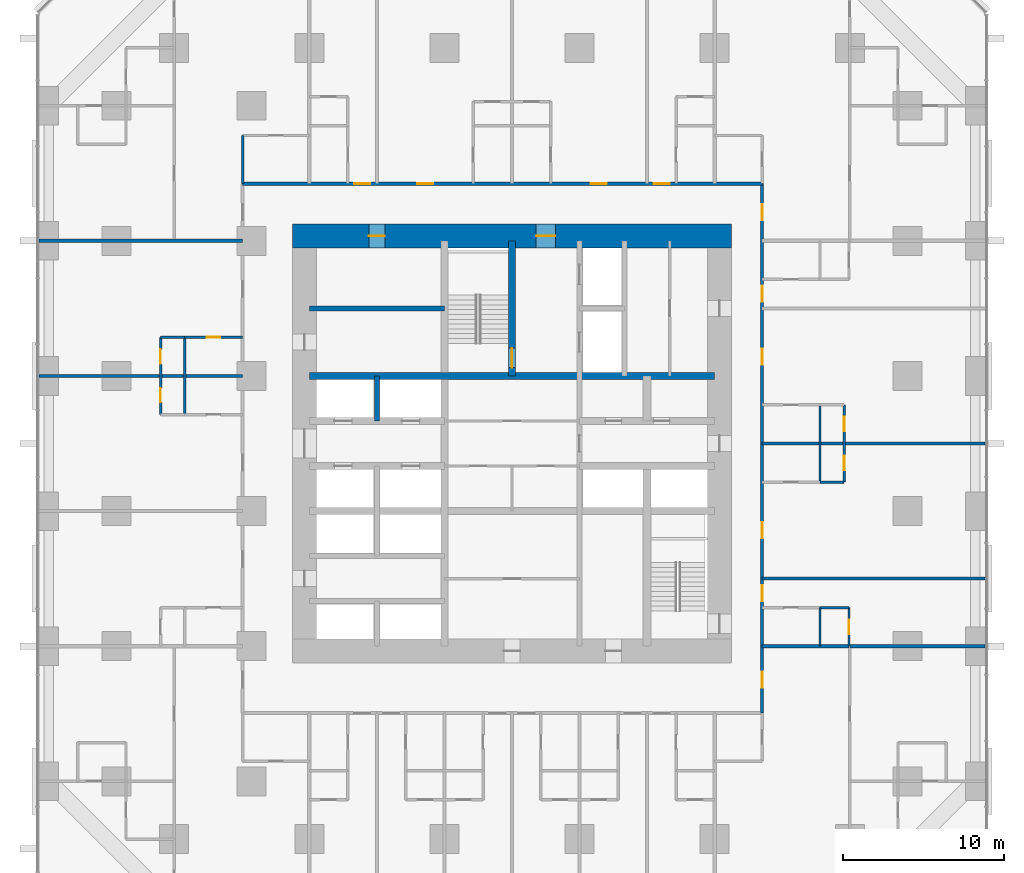
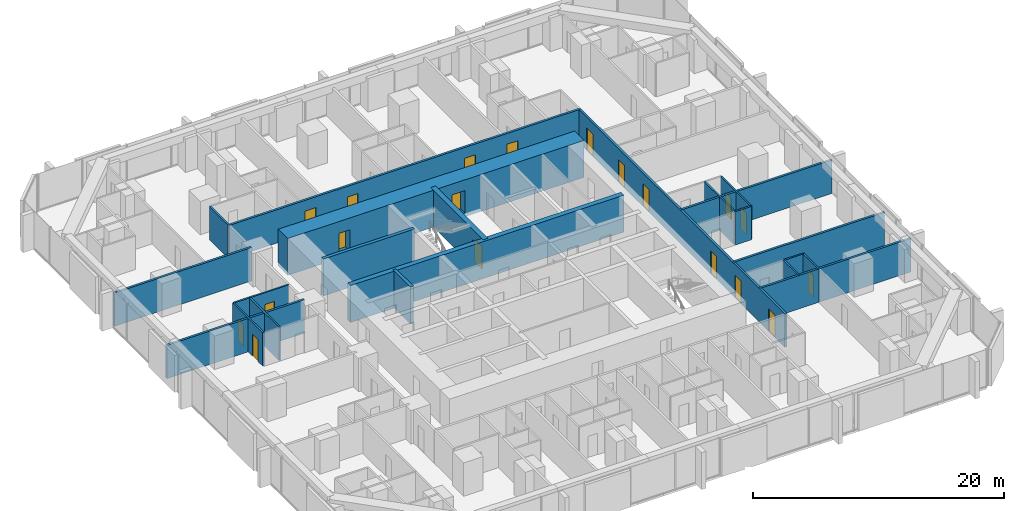
# One storey, part 14 of 17: 24 walls, 19 doors, 19 openings.
"""IFC4 building model written with IfcOpenShell, lengths in metres."""

import ifcopenshell
import ifcopenshell.guid

model = None  # the IFC model being written
_history = None  # IfcOwnerHistory: only IFC2X3 demands one
_inside = {}  # id of a spatial element -> (the spatial element, [elements in it])
_under = {}  # id of a project, library or spatial element -> (it, [spatial elements below it])
_declared = {}  # id of a project -> (the project, [libraries it declares])
_typed = {}  # id of a type object -> (the type object, [elements of that type])
_made_of = {}  # id of a material, layer set ... -> (it, [elements and type objects made of it])


def new_model(schema):
    """Start an empty IFC model of exactly this schema.

    Asked for "IFC4X3", IfcOpenShell would pick the latest addendum, in which some entities
    have other attributes; the version numbers below select the first issue.
    IFC2X3 requires an IfcOwnerHistory on every rooted entity: one is made here for all.
    """
    global model, _history
    if schema == "IFC4X3":
        model = ifcopenshell.file(schema_version=(4, 3, 0, 0))
    else:
        model = ifcopenshell.file(schema=schema)
    _inside.clear()
    _under.clear()
    _declared.clear()
    _typed.clear()
    _made_of.clear()
    _history = None
    if model.schema == "IFC2X3":
        org = make("IfcOrganization", Name="unknown")
        user = make(
            "IfcPersonAndOrganization",
            ThePerson=make("IfcPerson", FamilyName="unknown"),
            TheOrganization=org,
        )
        app = make(
            "IfcApplication",
            ApplicationDeveloper=org,
            Version="unknown",
            ApplicationFullName="unknown",
            ApplicationIdentifier="unknown",
        )
        _history = make(
            "IfcOwnerHistory",
            OwningUser=user,
            OwningApplication=app,
            ChangeAction="ADDED",
            CreationDate=0,
        )
    return model


def make(cls, **values):
    """One entity of the class cls with the attributes given. An attribute that is None is left unset."""
    return model.create_entity(
        cls, **{name: value for name, value in values.items() if value is not None}
    )


def rooted(cls, **values):
    """An entity with a GlobalId (a new one), such as an element, a storey or a relation."""
    return make(cls, GlobalId=ifcopenshell.guid.new(), OwnerHistory=_history, **values)


def si_unit(unit_type, name, prefix=None):
    """IfcSIUnit, for example si_unit("LENGTHUNIT", "METRE", prefix="MILLI")."""
    return make("IfcSIUnit", UnitType=unit_type, Prefix=prefix, Name=name)


def assignment(units):
    """IfcUnitAssignment: the units of a project."""
    return None if units is None else make("IfcUnitAssignment", Units=units)


def point(xyz):
    """IfcCartesianPoint."""
    return None if xyz is None else make("IfcCartesianPoint", Coordinates=xyz)


def direction(xyz):
    """IfcDirection."""
    return None if xyz is None else make("IfcDirection", DirectionRatios=xyz)


def frame(location, z_axis=None, x_axis=None):
    """IfcAxis2Placement3D, a coordinate frame: its origin and axes. An axis left out is left unset."""
    return make(
        "IfcAxis2Placement3D",
        Location=point(location),
        Axis=direction(z_axis),
        RefDirection=direction(x_axis),
    )


def frame_2d(location, x_axis=None):
    """IfcAxis2Placement2D, a coordinate frame in the plane: its origin and x axis."""
    return make(
        "IfcAxis2Placement2D", Location=point(location), RefDirection=direction(x_axis)
    )


def origin():
    """The frame at (0, 0, 0) with its axes left unset."""
    return frame((0.0, 0.0, 0.0))


def place(relative_to, where):
    """IfcLocalPlacement: puts the frame where relative to a parent placement (None: the world)."""
    return make(
        "IfcLocalPlacement", PlacementRelTo=relative_to, RelativePlacement=where
    )


def context(
    kind, dimensions, precision=None, world=None, true_north=None, identifier=None
):
    """IfcGeometricRepresentationContext, for example the 3D "Model" context."""
    return make(
        "IfcGeometricRepresentationContext",
        ContextIdentifier=identifier,
        ContextType=kind,
        CoordinateSpaceDimension=dimensions,
        Precision=precision,
        WorldCoordinateSystem=world,
        TrueNorth=true_north,
    )


def subcontext(parent, identifier, kind, view, scale=None):
    """IfcGeometricRepresentationSubContext, for example "Body" below "Model"."""
    return make(
        "IfcGeometricRepresentationSubContext",
        ContextIdentifier=identifier,
        ContextType=kind,
        ParentContext=parent,
        TargetScale=scale,
        TargetView=view,
    )


def project(units=None, contexts=None):
    """IfcProject with its units and contexts."""
    return rooted(
        "IfcProject",
        Name="project",
        RepresentationContexts=contexts,
        UnitsInContext=assignment(units),
    )


def spatial(cls, under=None, at=None, **own):
    """A site, building, storey or space (cls), placed at a placement, below another one or the project."""
    s = rooted(cls, ObjectPlacement=at, **own)
    if under is not None:
        _under.setdefault(under.id(), (under, []))[1].append(s)
    return s


def profile(cls, at=None, kind="AREA", **sizes):
    """A parametric profile (cls). Its sizes go by their IFC names, for example OverallWidth=200.0."""
    return make(cls, ProfileType=kind, Position=at, **sizes)


def rectangle(**sizes):
    """IfcRectangleProfileDef."""
    return profile("IfcRectangleProfileDef", **sizes)


def extrude(swept, where, along, depth):
    """IfcExtrudedAreaSolid: the profile swept, set in the frame where, extruded along a direction by depth."""
    return make(
        "IfcExtrudedAreaSolid",
        SweptArea=swept,
        Position=where,
        ExtrudedDirection=direction(along),
        Depth=depth,
    )


def shape(context_of_items, identifier, shape_type, items):
    """IfcShapeRepresentation: the items that make up one representation, for example the "Body"."""
    return make(
        "IfcShapeRepresentation",
        ContextOfItems=context_of_items,
        RepresentationIdentifier=identifier,
        RepresentationType=shape_type,
        Items=items,
    )


def material(Name=None, Category=None):
    """IfcMaterial."""
    return make("IfcMaterial", Name=Name, Category=Category)


def layer(
    of_material, thickness, ventilated=None, Name=None, Category=None, Priority=None
):
    """IfcMaterialLayer: one layer of a wall or slab, of a material (None: an air gap)."""
    return make(
        "IfcMaterialLayer",
        Material=of_material,
        LayerThickness=thickness,
        IsVentilated=ventilated,
        Name=Name,
        Category=Category,
        Priority=Priority,
    )


def layer_set(layers, Name=None):
    """IfcMaterialLayerSet."""
    return make("IfcMaterialLayerSet", MaterialLayers=layers, LayerSetName=Name)


def made_of(thing, what):
    """Note that an element or type object is made of a material, layer set ...; save() writes the relation."""
    if what is not None:
        _made_of.setdefault(what.id(), (what, []))[1].append(thing)
    return thing


def type_object(cls, material=None, **own):
    """A type object (cls), such as IfcWallType, which elements share."""
    return made_of(rooted(cls, **own), material)


def element(
    cls,
    number,
    at=None,
    inside=None,
    cuts=None,
    type_object=None,
    material=None,
    context=None,
    identifier="Body",
    shape_type=None,
    held_by="IfcProductDefinitionShape",
    body=None,
    shapes=None,
    **own,
):
    """One element of the class cls, such as IfcWall. Its Tag is "e" and its number.

    at: its placement. inside: the storey or other place that contains it. cuts: it is an
    opening in that element (IfcRelVoidsElement). A single representation is given by context,
    identifier, shape_type and body (its items); several are given by shapes. held_by: the class
    of the entity that holds the representations. save() writes the other relations.
    """
    e = rooted(cls, Tag="e%d" % number, ObjectPlacement=at, **own)
    if body is not None:
        shapes = [shape(context, identifier, shape_type, body)]
    if shapes is not None:
        e.Representation = make(held_by, Representations=shapes)
    if inside is not None:
        _inside.setdefault(inside.id(), (inside, []))[1].append(e)
    if cuts is not None:
        rooted(
            "IfcRelVoidsElement", RelatingBuildingElement=cuts, RelatedOpeningElement=e
        )
    if type_object is not None:
        _typed.setdefault(type_object.id(), (type_object, []))[1].append(e)
    return made_of(e, material)


def fill(opening, filler):
    """IfcRelFillsElement: the door or window that sits in an opening."""
    return rooted(
        "IfcRelFillsElement",
        RelatingOpeningElement=opening,
        RelatedBuildingElement=filler,
    )


def aggregate(whole, parts):
    """IfcRelAggregates: a whole, such as a stair, and the parts it consists of."""
    return rooted("IfcRelAggregates", RelatingObject=whole, RelatedObjects=parts)


def save(model, path):
    """Write the relations noted so far, then the file.

    IfcRelAggregates (storeys below a building ...), IfcRelContainedInSpatialStructure (elements
    in a storey), IfcRelDefinesByType, IfcRelAssociatesMaterial and IfcRelDeclares: one each for
    every whole, place, type object, material and project.
    """
    for whole, parts in _under.values():
        aggregate(whole, parts)
    for where, things in _inside.values():
        rooted(
            "IfcRelContainedInSpatialStructure",
            RelatedElements=things,
            RelatingStructure=where,
        )
    for kind, things in _typed.values():
        rooted("IfcRelDefinesByType", RelatedObjects=things, RelatingType=kind)
    for what, things in _made_of.values():
        rooted("IfcRelAssociatesMaterial", RelatedObjects=things, RelatingMaterial=what)
    for by, libraries in _declared.values():
        rooted("IfcRelDeclares", RelatingContext=by, RelatedDefinitions=libraries)
    model.write(path)


model = new_model("IFC4")

# Units and contexts
model_context = context("Model", 3, precision=1e-05, world=origin(), true_north=direction((0.0, 1.0)))
body_context = subcontext(model_context, "Body", "Model", "MODEL_VIEW")
ifc_project = project(units=[si_unit("LENGTHUNIT", "METRE"), si_unit("AREAUNIT", "SQUARE_METRE"), si_unit("VOLUMEUNIT", "CUBIC_METRE"), si_unit("PLANEANGLEUNIT", "RADIAN"), si_unit("MASSUNIT", "GRAM", prefix="KILO")], contexts=[model_context])

# Site, building, storey
site_placement = place(None, origin())
site = spatial("IfcSite", under=ifc_project, at=site_placement, CompositionType="ELEMENT")
building_placement = place(site_placement, origin())
building = spatial("IfcBuilding", under=site, at=building_placement, Name="Dunama Terrace Hotel", CompositionType="ELEMENT")
storey_placement = place(building_placement, frame((0.0, 0.0, 77.39990234375)))
storey = spatial("IfcBuildingStorey", under=building, at=storey_placement, Name="L19", CompositionType="ELEMENT", Elevation=77.39990234375)

# Wall
ifc_material_1 = material(Name="Gypsum board partition", Category="masonry")
ifc_layer_1 = layer(ifc_material_1, 0.14990234375)
ifc_layer_set_1 = layer_set([ifc_layer_1], Name="Bathroom partition 150")
wall_type_1 = type_object("IfcWallType", Name="Bathroom partition 150", PredefinedType="PARTITIONING", material=ifc_layer_set_1)
wall_1_placement = place(storey_placement, frame((12.64990234375, 45.550048828125, 0.0), z_axis=(0.0, 0.0, 1.0), x_axis=(0.0, 1.0, 0.0)))
element("IfcWall", 1, at=wall_1_placement, inside=storey, type_object=wall_type_1, Name="Bathroom partition 150 L19", PredefinedType="PARTITIONING", context=body_context, shape_type="SweptSolid", body=[
    extrude(rectangle(XDim=3.0, YDim=0.14990234375, at=frame_2d((1.5, 0.0))), origin(), (0.0, 0.0, 1.0), 3.25),
])

# Wall, opening, door
wall_2_placement = place(storey_placement, frame((9.050048828125, 36.0, 0.0), z_axis=(0.0, 0.0, 1.0), x_axis=(1.0, 0.0, 0.0)))
wall_2 = element("IfcWall", 2, at=wall_2_placement, inside=storey, type_object=wall_type_1, Name="Bathroom partition 150 L19", PredefinedType="PARTITIONING", context=body_context, shape_type="SweptSolid", body=[
    extrude(rectangle(XDim=3.599853515625, YDim=0.14990234375, at=frame_2d((1.7998046875, 0.0))), origin(), (0.0, 0.0, 1.0), 3.25),
])
opening_1_placement = place(wall_2_placement, frame((1.375, 0.0, 0.0)))
opening_1 = element("IfcOpeningElement", 3, at=opening_1_placement, cuts=wall_2, Name="Opening L17-19-058", PredefinedType="OPENING", context=body_context, shape_type="SweptSolid", body=[
    extrude(rectangle(XDim=0.85009765625, YDim=2.10009765625, at=frame_2d((0.425048828125, 1.050048828125))), frame((0.0, 0.0849609375, 0.0), z_axis=(0.0, -1.0, 0.0), x_axis=(1.0, 0.0, 0.0)), (0.0, 0.0, 1.0), 0.169921875),
])
ifc_material_2 = material(Name="Timber door with steel frame", Category="steel")
door_type_1 = type_object("IfcDoorType", Name="Bathroom door 850", OperationType="SINGLE_SWING_LEFT", PredefinedType="DOOR", material=ifc_material_2)
door_1_placement = place(opening_1_placement, frame((0.85009765625, 0.0, 0.0), z_axis=(0.0, 0.0, 1.0), x_axis=(-1.0, 0.0, 0.0)))
door_1 = element("IfcDoor", 4, at=door_1_placement, inside=storey, type_object=door_type_1, Name="Door to en-suite bathroom L17-19-058, type D2", OperationType="SINGLE_SWING_LEFT", OverallHeight=2.10009765625, OverallWidth=0.85009765625, PredefinedType="DOOR", context=body_context, shape_type="SweptSolid", body=[
    extrude(rectangle(XDim=0.85009765625, YDim=2.10009765625, at=frame_2d((0.425048828125, 1.050048828125))), frame((0.0, 0.025146484375, 0.0), z_axis=(0.0, -1.0, 0.0), x_axis=(1.0, 0.0, 0.0)), (0.0, 0.0, 1.0), 0.050048828125),
])
fill(opening_1, door_1)

# Walls
ifc_material_3 = material(Name="Concrete C50/60", Category="concrete")
ifc_layer_2 = layer(ifc_material_3, 0.300048828125)
ifc_layer_set_2 = layer_set([ifc_layer_2], Name="Core inner wall 300")
wall_type_2 = type_object("IfcWallType", Name="Core inner wall 300", PredefinedType="SHEAR", material=ifc_layer_set_2)
wall_3_placement = place(storey_placement, frame((21.0, 30.800048828125, -0.349853515625), z_axis=(0.0, 0.0, 1.0), x_axis=(0.0, 1.0, 0.0)))
element("IfcWall", 5, at=wall_3_placement, inside=storey, type_object=wall_type_2, Name="Core inner wall 300 L19", PredefinedType="SHEAR", context=body_context, shape_type="SweptSolid", body=[
    extrude(rectangle(XDim=2.800048828125, YDim=0.300048828125, at=frame_2d((1.39990234375, 0.0))), origin(), (0.0, 0.0, 1.0), 3.599853515625),
])
wall_4_placement = place(storey_placement, frame((16.800048828125, 37.800048828125, -0.349853515625), z_axis=(0.0, 0.0, 1.0), x_axis=(1.0, 0.0, 0.0)))
element("IfcWall", 6, at=wall_4_placement, inside=storey, type_object=wall_type_2, Name="Core inner wall 300 L19", PredefinedType="SHEAR", context=body_context, shape_type="SweptSolid", body=[
    extrude(rectangle(XDim=8.39990234375, YDim=0.300048828125, at=frame_2d((4.199951171875, 0.0))), origin(), (0.0, 0.0, 1.0), 3.599853515625),
])

# Wall, opening, door
ifc_material_4 = material(Name="Concrete C50/60", Category="concrete")
ifc_layer_3 = layer(ifc_material_4, 0.449951171875)
ifc_layer_set_3 = layer_set([ifc_layer_3], Name="Core inner wall 450")
wall_type_3 = type_object("IfcWallType", Name="Core inner wall 450", PredefinedType="SHEAR", material=ifc_layer_set_3)
wall_5_placement = place(storey_placement, frame((29.39990234375, 33.60009765625, -0.349853515625), z_axis=(0.0, 0.0, 1.0), x_axis=(0.0, 1.0, 0.0)))
wall_5 = element("IfcWall", 7, at=wall_5_placement, inside=storey, type_object=wall_type_3, Name="Core inner wall 450 L19", PredefinedType="SHEAR", context=body_context, shape_type="SweptSolid", body=[
    extrude(rectangle(XDim=8.39990234375, YDim=0.449951171875, at=frame_2d((4.199951171875, 0.0))), origin(), (0.0, 0.0, 1.0), 3.599853515625),
])
opening_2_placement = place(wall_5_placement, frame((0.52490234375, 0.0, 0.35009765625)))
opening_2 = element("IfcOpeningElement", 8, at=opening_2_placement, cuts=wall_5, Name="Opening L17-19-001", PredefinedType="OPENING", context=body_context, shape_type="SweptSolid", body=[
    extrude(rectangle(XDim=1.199951171875, YDim=2.199951171875, at=frame_2d((0.60009765625, 1.10009765625))), frame((0.0, 0.23486328125, 0.0), z_axis=(0.0, -1.0, 0.0), x_axis=(1.0, 0.0, 0.0)), (0.0, 0.0, 1.0), 0.469970703125),
])
ifc_material_5 = material(Name="Timber door with steel frame", Category="steel")
door_type_2 = type_object("IfcDoorType", Name="Stair door 1200", OperationType="SINGLE_SWING_LEFT", PredefinedType="DOOR", material=ifc_material_5)
door_2_placement = place(opening_2_placement, origin())
door_2 = element("IfcDoor", 9, at=door_2_placement, inside=storey, type_object=door_type_2, Name="Stair door ST1 L17-19-001, type D5", OperationType="SINGLE_SWING_LEFT", OverallHeight=2.199951171875, OverallWidth=1.199951171875, PredefinedType="DOOR", context=body_context, shape_type="SweptSolid", body=[
    extrude(rectangle(XDim=1.199951171875, YDim=2.199951171875, at=frame_2d((0.60009765625, 1.10009765625))), frame((0.0, 0.02490234375, 0.0), z_axis=(0.0, -1.0, 0.0), x_axis=(1.0, 0.0, 0.0)), (0.0, 0.0, 1.0), 0.050048828125),
])
fill(opening_2, door_2)

# Wall
wall_6_placement = place(storey_placement, frame((16.800048828125, 33.60009765625, -0.349853515625), z_axis=(0.0, 0.0, 1.0), x_axis=(1.0, 0.0, 0.0)))
element("IfcWall", 10, at=wall_6_placement, inside=storey, type_object=wall_type_3, Name="Core inner wall 450 L19", PredefinedType="SHEAR", context=body_context, shape_type="SweptSolid", body=[
    extrude(rectangle(XDim=25.199951171875, YDim=0.449951171875, at=frame_2d((12.60009765625, 0.0))), origin(), (0.0, 0.0, 1.0), 3.599853515625),
])

# Wall, openings, doors
ifc_material_6 = material(Name="Concrete C60/75", Category="concrete")
ifc_layer_4 = layer(ifc_material_6, 1.5)
ifc_layer_set_4 = layer_set([ifc_layer_4], Name="Core wall 1500")
wall_type_4 = type_object("IfcWallType", Name="Core wall 1500", PredefinedType="SHEAR", material=ifc_layer_set_4)
wall_7_placement = place(storey_placement, frame((43.050048828125, 42.300048828125, -0.349853515625), z_axis=(0.0, 0.0, 1.0), x_axis=(-1.0, 0.0, 0.0)))
wall_7 = element("IfcWall", 11, at=wall_7_placement, inside=storey, type_object=wall_type_4, Name="Core wall north L19", PredefinedType="SHEAR", context=body_context, shape_type="SweptSolid", body=[
    extrude(rectangle(XDim=27.300048828125, YDim=1.5, at=frame_2d((13.64990234375, 0.0))), origin(), (0.0, 0.0, 1.0), 3.599853515625),
])
opening_3_placement = place(wall_7_placement, frame((21.550048828125, 0.0, 0.35009765625)))
opening_3 = element("IfcOpeningElement", 12, at=opening_3_placement, cuts=wall_7, Name="Opening L17-19-087", PredefinedType="OPENING", context=body_context, shape_type="SweptSolid", body=[
    extrude(rectangle(XDim=1.0, YDim=2.10009765625, at=frame_2d((0.5, 1.050048828125))), frame((0.0, 0.760009765625, 0.0), z_axis=(0.0, -1.0, 0.0), x_axis=(1.0, 0.0, 0.0)), (0.0, 0.0, 1.0), 1.52001953125),
])
opening_4_placement = place(wall_7_placement, frame((10.949951171875, 0.0, 0.35009765625)))
opening_4 = element("IfcOpeningElement", 13, at=opening_4_placement, cuts=wall_7, Name="Opening L17-19-095", PredefinedType="OPENING", context=body_context, shape_type="SweptSolid", body=[
    extrude(rectangle(XDim=1.199951171875, YDim=2.199951171875, at=frame_2d((0.60009765625, 1.10009765625))), frame((0.0, 0.760009765625, 0.0), z_axis=(0.0, -1.0, 0.0), x_axis=(1.0, 0.0, 0.0)), (0.0, 0.0, 1.0), 1.52001953125),
])
ifc_material_7 = material(Name="Timber door with steel frame", Category="steel")
door_type_3 = type_object("IfcDoorType", Name="Firefighting lobby door 1200", OperationType="SINGLE_SWING_LEFT", PredefinedType="DOOR", material=ifc_material_7)
door_3_placement = place(opening_4_placement, origin())
door_3 = element("IfcDoor", 14, at=door_3_placement, inside=storey, type_object=door_type_3, Name="Door to firefighting lobby L17-19-095, type D4", OperationType="SINGLE_SWING_RIGHT", OverallHeight=2.199951171875, OverallWidth=1.199951171875, PredefinedType="DOOR", context=body_context, shape_type="SweptSolid", body=[
    extrude(rectangle(XDim=1.199951171875, YDim=2.199951171875, at=frame_2d((0.60009765625, 1.10009765625))), frame((0.0, 0.02490234375, 0.0), z_axis=(0.0, -1.0, 0.0), x_axis=(1.0, 0.0, 0.0)), (0.0, 0.0, 1.0), 0.050048828125),
])
fill(opening_4, door_3)
ifc_material_8 = material(Name="Timber door with steel frame", Category="steel")
door_type_4 = type_object("IfcDoorType", Name="Service door 1000", OperationType="SINGLE_SWING_LEFT", PredefinedType="DOOR", material=ifc_material_8)
door_4_placement = place(opening_3_placement, origin())
door_4 = element("IfcDoor", 15, at=door_4_placement, inside=storey, type_object=door_type_4, Name="Door to communications and riser room L17-19-087, type D7", OperationType="SINGLE_SWING_LEFT", OverallHeight=2.10009765625, OverallWidth=1.0, PredefinedType="DOOR", context=body_context, shape_type="SweptSolid", body=[
    extrude(rectangle(XDim=1.0, YDim=2.10009765625, at=frame_2d((0.5, 1.050048828125))), frame((0.0, 0.02490234375, 0.0), z_axis=(0.0, -1.0, 0.0), x_axis=(1.0, 0.0, 0.0)), (0.0, 0.0, 1.0), 0.050048828125),
])
fill(opening_3, door_4)

ifc_material_9 = material(Name="Concrete blockwork", Category="masonry")
ifc_layer_5 = layer(ifc_material_9, 0.199951171875)
ifc_layer_set_5 = layer_set([ifc_layer_5], Name="Corridor partition 200")
wall_type_5 = type_object("IfcWallType", Name="Corridor partition 200", PredefinedType="PARTITIONING", material=ifc_layer_set_5)
wall_8_placement = place(storey_placement, frame((12.64990234375, 45.550048828125, 0.0), z_axis=(0.0, 0.0, 1.0), x_axis=(1.0, 0.0, 0.0)))
wall_8 = element("IfcWall", 16, at=wall_8_placement, inside=storey, type_object=wall_type_5, Name="Corridor partition 200 L19", PredefinedType="PARTITIONING", context=body_context, shape_type="SweptSolid", body=[
    extrude(rectangle(XDim=32.300048828125, YDim=0.199951171875, at=frame_2d((16.14990234375, 0.0))), origin(), (0.0, 0.0, 1.0), 3.25),
])
opening_5_placement = place(wall_8_placement, frame((6.949951171875, 0.0, 0.0)))
opening_5 = element("IfcOpeningElement", 17, at=opening_5_placement, cuts=wall_8, Name="Opening L17-19-039", PredefinedType="OPENING", context=body_context, shape_type="SweptSolid", body=[
    extrude(rectangle(XDim=1.0, YDim=2.199951171875, at=frame_2d((0.5, 1.10009765625))), frame((0.0, 0.10986328125, 0.0), z_axis=(0.0, -1.0, 0.0), x_axis=(1.0, 0.0, 0.0)), (0.0, 0.0, 1.0), 0.219970703125),
])
opening_6_placement = place(wall_8_placement, frame((10.85009765625, 0.0, 0.0)))
opening_6 = element("IfcOpeningElement", 18, at=opening_6_placement, cuts=wall_8, Name="Opening L17-19-042", PredefinedType="OPENING", context=body_context, shape_type="SweptSolid", body=[
    extrude(rectangle(XDim=1.0, YDim=2.199951171875, at=frame_2d((0.5, 1.10009765625))), frame((0.0, 0.10986328125, 0.0), z_axis=(0.0, -1.0, 0.0), x_axis=(1.0, 0.0, 0.0)), (0.0, 0.0, 1.0), 0.219970703125),
])
opening_7_placement = place(wall_8_placement, frame((21.64990234375, 0.0, 0.0)))
opening_7 = element("IfcOpeningElement", 19, at=opening_7_placement, cuts=wall_8, Name="Opening L17-19-045", PredefinedType="OPENING", context=body_context, shape_type="SweptSolid", body=[
    extrude(rectangle(XDim=1.0, YDim=2.199951171875, at=frame_2d((0.5, 1.10009765625))), frame((0.0, 0.10986328125, 0.0), z_axis=(0.0, -1.0, 0.0), x_axis=(1.0, 0.0, 0.0)), (0.0, 0.0, 1.0), 0.219970703125),
])
opening_8_placement = place(wall_8_placement, frame((25.550048828125, 0.0, 0.0)))
opening_8 = element("IfcOpeningElement", 20, at=opening_8_placement, cuts=wall_8, Name="Opening L17-19-048", PredefinedType="OPENING", context=body_context, shape_type="SweptSolid", body=[
    extrude(rectangle(XDim=1.0, YDim=2.199951171875, at=frame_2d((0.5, 1.10009765625))), frame((0.0, 0.10986328125, 0.0), z_axis=(0.0, -1.0, 0.0), x_axis=(1.0, 0.0, 0.0)), (0.0, 0.0, 1.0), 0.219970703125),
])
ifc_material_10 = material(Name="Timber door with steel frame", Category="steel")
door_type_5 = type_object("IfcDoorType", Name="Guest room door 1000", OperationType="SINGLE_SWING_LEFT", PredefinedType="DOOR", material=ifc_material_10)
door_5_placement = place(opening_5_placement, origin())
door_5 = element("IfcDoor", 21, at=door_5_placement, inside=storey, type_object=door_type_5, Name="Door to deluxe room L17-19-039, type D1", OperationType="SINGLE_SWING_RIGHT", OverallHeight=2.199951171875, OverallWidth=1.0, PredefinedType="DOOR", context=body_context, shape_type="SweptSolid", body=[
    extrude(rectangle(XDim=1.0, YDim=2.199951171875, at=frame_2d((0.5, 1.10009765625))), frame((0.0, 0.02490234375, 0.0), z_axis=(0.0, -1.0, 0.0), x_axis=(1.0, 0.0, 0.0)), (0.0, 0.0, 1.0), 0.050048828125),
])
fill(opening_5, door_5)
door_6_placement = place(opening_6_placement, origin())
door_6 = element("IfcDoor", 22, at=door_6_placement, inside=storey, type_object=door_type_5, Name="Door to junior suite L17-19-042, type D1", OperationType="SINGLE_SWING_LEFT", OverallHeight=2.199951171875, OverallWidth=1.0, PredefinedType="DOOR", context=body_context, shape_type="SweptSolid", body=[
    extrude(rectangle(XDim=1.0, YDim=2.199951171875, at=frame_2d((0.5, 1.10009765625))), frame((0.0, 0.02490234375, 0.0), z_axis=(0.0, -1.0, 0.0), x_axis=(1.0, 0.0, 0.0)), (0.0, 0.0, 1.0), 0.050048828125),
])
fill(opening_6, door_6)
door_7_placement = place(opening_7_placement, origin())
door_7 = element("IfcDoor", 23, at=door_7_placement, inside=storey, type_object=door_type_5, Name="Door to junior suite L17-19-045, type D1", OperationType="SINGLE_SWING_RIGHT", OverallHeight=2.199951171875, OverallWidth=1.0, PredefinedType="DOOR", context=body_context, shape_type="SweptSolid", body=[
    extrude(rectangle(XDim=1.0, YDim=2.199951171875, at=frame_2d((0.5, 1.10009765625))), frame((0.0, 0.02490234375, 0.0), z_axis=(0.0, -1.0, 0.0), x_axis=(1.0, 0.0, 0.0)), (0.0, 0.0, 1.0), 0.050048828125),
])
fill(opening_7, door_7)
door_8_placement = place(opening_8_placement, origin())
door_8 = element("IfcDoor", 24, at=door_8_placement, inside=storey, type_object=door_type_5, Name="Door to deluxe room L17-19-048, type D1", OperationType="SINGLE_SWING_LEFT", OverallHeight=2.199951171875, OverallWidth=1.0, PredefinedType="DOOR", context=body_context, shape_type="SweptSolid", body=[
    extrude(rectangle(XDim=1.0, YDim=2.199951171875, at=frame_2d((0.5, 1.10009765625))), frame((0.0, 0.02490234375, 0.0), z_axis=(0.0, -1.0, 0.0), x_axis=(1.0, 0.0, 0.0)), (0.0, 0.0, 1.0), 0.050048828125),
])
fill(opening_8, door_8)

wall_9_placement = place(storey_placement, frame((44.949951171875, 45.550048828125, 0.0), z_axis=(0.0, 0.0, 1.0), x_axis=(0.0, -1.0, 0.0)))
wall_9 = element("IfcWall", 25, at=wall_9_placement, inside=storey, type_object=wall_type_5, Name="Corridor partition 200 L19", PredefinedType="PARTITIONING", context=body_context, shape_type="SweptSolid", body=[
    extrude(rectangle(XDim=32.900146484375, YDim=0.199951171875, at=frame_2d((16.4501953125, 0.0))), origin(), (0.0, 0.0, 1.0), 3.25),
])
opening_9_placement = place(wall_9_placement, frame((24.949951171875, 0.0, 0.0)))
opening_9 = element("IfcOpeningElement", 26, at=opening_9_placement, cuts=wall_9, Name="Opening L17-19-027", PredefinedType="OPENING", context=body_context, shape_type="SweptSolid", body=[
    extrude(rectangle(XDim=1.0, YDim=2.199951171875, at=frame_2d((0.5, 1.10009765625))), frame((0.0, 0.10986328125, 0.0), z_axis=(0.0, -1.0, 0.0), x_axis=(1.0, 0.0, 0.0)), (0.0, 0.0, 1.0), 0.219970703125),
])
opening_10_placement = place(wall_9_placement, frame((21.050048828125, 0.0, 0.0)))
opening_10 = element("IfcOpeningElement", 27, at=opening_10_placement, cuts=wall_9, Name="Opening L17-19-030", PredefinedType="OPENING", context=body_context, shape_type="SweptSolid", body=[
    extrude(rectangle(XDim=1.0, YDim=2.199951171875, at=frame_2d((0.5, 1.10009765625))), frame((0.0, 0.10986328125, 0.0), z_axis=(0.0, -1.0, 0.0), x_axis=(1.0, 0.0, 0.0)), (0.0, 0.0, 1.0), 0.219970703125),
])
opening_11_placement = place(wall_9_placement, frame((10.25, 0.0, 0.0)))
opening_11 = element("IfcOpeningElement", 28, at=opening_11_placement, cuts=wall_9, Name="Opening L17-19-033", PredefinedType="OPENING", context=body_context, shape_type="SweptSolid", body=[
    extrude(rectangle(XDim=1.0, YDim=2.199951171875, at=frame_2d((0.5, 1.10009765625))), frame((0.0, 0.10986328125, 0.0), z_axis=(0.0, -1.0, 0.0), x_axis=(1.0, 0.0, 0.0)), (0.0, 0.0, 1.0), 0.219970703125),
])
opening_12_placement = place(wall_9_placement, frame((6.35009765625, 0.0, 0.0)))
opening_12 = element("IfcOpeningElement", 29, at=opening_12_placement, cuts=wall_9, Name="Opening L17-19-036", PredefinedType="OPENING", context=body_context, shape_type="SweptSolid", body=[
    extrude(rectangle(XDim=1.0, YDim=2.199951171875, at=frame_2d((0.5, 1.10009765625))), frame((0.0, 0.10986328125, 0.0), z_axis=(0.0, -1.0, 0.0), x_axis=(1.0, 0.0, 0.0)), (0.0, 0.0, 1.0), 0.219970703125),
])
opening_13_placement = place(wall_9_placement, frame((30.324951171875, 0.0, 0.0)))
opening_13 = element("IfcOpeningElement", 30, at=opening_13_placement, cuts=wall_9, Name="Opening L17-19-066", PredefinedType="OPENING", context=body_context, shape_type="SweptSolid", body=[
    extrude(rectangle(XDim=1.0, YDim=2.199951171875, at=frame_2d((0.5, 1.10009765625))), frame((0.0, 0.10986328125, 0.0), z_axis=(0.0, -1.0, 0.0), x_axis=(1.0, 0.0, 0.0)), (0.0, 0.0, 1.0), 0.219970703125),
])
opening_14_placement = place(wall_9_placement, frame((1.27490234375, 0.0, 0.0)))
opening_14 = element("IfcOpeningElement", 31, at=opening_14_placement, cuts=wall_9, Name="Opening L17-19-072", PredefinedType="OPENING", context=body_context, shape_type="SweptSolid", body=[
    extrude(rectangle(XDim=1.0, YDim=2.199951171875, at=frame_2d((0.5, 1.10009765625))), frame((0.0, 0.10986328125, 0.0), z_axis=(0.0, -1.0, 0.0), x_axis=(1.0, 0.0, 0.0)), (0.0, 0.0, 1.0), 0.219970703125),
])
door_9_placement = place(opening_9_placement, origin())
door_9 = element("IfcDoor", 32, at=door_9_placement, inside=storey, type_object=door_type_5, Name="Door to deluxe room L17-19-027, type D1", OperationType="SINGLE_SWING_LEFT", OverallHeight=2.199951171875, OverallWidth=1.0, PredefinedType="DOOR", context=body_context, shape_type="SweptSolid", body=[
    extrude(rectangle(XDim=1.0, YDim=2.199951171875, at=frame_2d((0.5, 1.10009765625))), frame((0.0, 0.02490234375, 0.0), z_axis=(0.0, -1.0, 0.0), x_axis=(1.0, 0.0, 0.0)), (0.0, 0.0, 1.0), 0.050048828125),
])
fill(opening_9, door_9)
door_10_placement = place(opening_10_placement, origin())
door_10 = element("IfcDoor", 33, at=door_10_placement, inside=storey, type_object=door_type_5, Name="Door to junior suite L17-19-030, type D1", OperationType="SINGLE_SWING_LEFT", OverallHeight=2.199951171875, OverallWidth=1.0, PredefinedType="DOOR", context=body_context, shape_type="SweptSolid", body=[
    extrude(rectangle(XDim=1.0, YDim=2.199951171875, at=frame_2d((0.5, 1.10009765625))), frame((0.0, 0.02490234375, 0.0), z_axis=(0.0, -1.0, 0.0), x_axis=(1.0, 0.0, 0.0)), (0.0, 0.0, 1.0), 0.050048828125),
])
fill(opening_10, door_10)
door_11_placement = place(opening_11_placement, origin())
door_11 = element("IfcDoor", 34, at=door_11_placement, inside=storey, type_object=door_type_5, Name="Door to junior suite L17-19-033, type D1", OperationType="SINGLE_SWING_LEFT", OverallHeight=2.199951171875, OverallWidth=1.0, PredefinedType="DOOR", context=body_context, shape_type="SweptSolid", body=[
    extrude(rectangle(XDim=1.0, YDim=2.199951171875, at=frame_2d((0.5, 1.10009765625))), frame((0.0, 0.02490234375, 0.0), z_axis=(0.0, -1.0, 0.0), x_axis=(1.0, 0.0, 0.0)), (0.0, 0.0, 1.0), 0.050048828125),
])
fill(opening_11, door_11)
door_12_placement = place(opening_12_placement, origin())
door_12 = element("IfcDoor", 35, at=door_12_placement, inside=storey, type_object=door_type_5, Name="Door to deluxe room L17-19-036, type D1", OperationType="SINGLE_SWING_RIGHT", OverallHeight=2.199951171875, OverallWidth=1.0, PredefinedType="DOOR", context=body_context, shape_type="SweptSolid", body=[
    extrude(rectangle(XDim=1.0, YDim=2.199951171875, at=frame_2d((0.5, 1.10009765625))), frame((0.0, 0.02490234375, 0.0), z_axis=(0.0, -1.0, 0.0), x_axis=(1.0, 0.0, 0.0)), (0.0, 0.0, 1.0), 0.050048828125),
])
fill(opening_12, door_12)
door_13_placement = place(opening_13_placement, origin())
door_13 = element("IfcDoor", 36, at=door_13_placement, inside=storey, type_object=door_type_5, Name="Door to corner suite living room L17-19-066, type D1", OperationType="SINGLE_SWING_RIGHT", OverallHeight=2.199951171875, OverallWidth=1.0, PredefinedType="DOOR", context=body_context, shape_type="SweptSolid", body=[
    extrude(rectangle(XDim=1.0, YDim=2.199951171875, at=frame_2d((0.5, 1.10009765625))), frame((0.0, 0.02490234375, 0.0), z_axis=(0.0, -1.0, 0.0), x_axis=(1.0, 0.0, 0.0)), (0.0, 0.0, 1.0), 0.050048828125),
])
fill(opening_13, door_13)
door_14_placement = place(opening_14_placement, origin())
door_14 = element("IfcDoor", 37, at=door_14_placement, inside=storey, type_object=door_type_5, Name="Door to corner suite living room L17-19-072, type D1", OperationType="SINGLE_SWING_LEFT", OverallHeight=2.199951171875, OverallWidth=1.0, PredefinedType="DOOR", context=body_context, shape_type="SweptSolid", body=[
    extrude(rectangle(XDim=1.0, YDim=2.199951171875, at=frame_2d((0.5, 1.10009765625))), frame((0.0, 0.02490234375, 0.0), z_axis=(0.0, -1.0, 0.0), x_axis=(1.0, 0.0, 0.0)), (0.0, 0.0, 1.0), 0.050048828125),
])
fill(opening_14, door_14)

# Walls
ifc_material_11 = material(Name="Concrete blockwork", Category="masonry")
ifc_layer_6 = layer(ifc_material_11, 0.199951171875)
ifc_layer_set_6 = layer_set([ifc_layer_6], Name="Party wall 200")
wall_type_6 = type_object("IfcWallType", Name="Party wall 200", PredefinedType="PARTITIONING", material=ifc_layer_set_6)
wall_10_placement = place(storey_placement, frame((44.949951171875, 16.800048828125, 0.0), z_axis=(0.0, 0.0, 1.0), x_axis=(1.0, 0.0, 0.0)))
element("IfcWall", 38, at=wall_10_placement, inside=storey, type_object=wall_type_6, Name="Party wall 200 L19", PredefinedType="PARTITIONING", context=body_context, shape_type="SweptSolid", body=[
    extrude(rectangle(XDim=5.400146484375, YDim=0.199951171875, at=frame_2d((2.7001953125, 0.0))), origin(), (0.0, 0.0, 1.0), 3.25),
])
wall_11_placement = place(storey_placement, frame((50.39990234375, 16.800048828125, 0.0), z_axis=(0.0, 0.0, 1.0), x_axis=(1.0, 0.0, 0.0)))
element("IfcWall", 39, at=wall_11_placement, inside=storey, type_object=wall_type_6, Name="Party wall 200 L19", PredefinedType="PARTITIONING", context=body_context, shape_type="SweptSolid", body=[
    extrude(rectangle(XDim=8.408203125, YDim=0.199951171875, at=frame_2d((4.2041015625, 0.0))), origin(), (0.0, 0.0, 1.0), 3.25),
])
for number, where, z_axis, x_axis, name in (
    (40, (44.949951171875, 21.0, 0.0), (0.0, 0.0, 1.0), (1.0, 0.0, 0.0), "Party wall 200 L19"),
    (41, (44.949951171875, 29.39990234375, 0.0), (0.0, 0.0, 1.0), (1.0, 0.0, 0.0), "Party wall 200 L19"),
):
    element("IfcWall", number, at=place(storey_placement, frame(where, z_axis=z_axis, x_axis=x_axis)), inside=storey, type_object=wall_type_6, Name=name, PredefinedType="PARTITIONING", context=body_context, shape_type="SweptSolid", body=[
        extrude(rectangle(XDim=13.858154296875, YDim=0.199951171875, at=frame_2d((6.92919921875, 0.0))), origin(), (0.0, 0.0, 1.0), 3.25),
    ])
for number, where, z_axis, x_axis, name in (
    (42, (-0.008056640625, 33.60009765625, 0.0), (0.0, 0.0, 1.0), (1.0, 0.0, 0.0), "Party wall 200 L19"),
    (43, (-0.008056640625, 42.0, 0.0), (0.0, 0.0, 1.0), (1.0, 0.0, 0.0), "Party wall 200 L19"),
):
    element("IfcWall", number, at=place(storey_placement, frame(where, z_axis=z_axis, x_axis=x_axis)), inside=storey, type_object=wall_type_6, Name=name, PredefinedType="PARTITIONING", context=body_context, shape_type="SweptSolid", body=[
        extrude(rectangle(XDim=12.657958984375, YDim=0.199951171875, at=frame_2d((6.3291015625, 0.0))), origin(), (0.0, 0.0, 1.0), 3.25),
    ])

# Wall, openings, doors
ifc_material_12 = material(Name="Gypsum board partition", Category="masonry")
ifc_layer_7 = layer(ifc_material_12, 0.14990234375)
ifc_layer_set_7 = layer_set([ifc_layer_7], Name="Room partition 150")
wall_type_7 = type_object("IfcWallType", Name="Room partition 150", PredefinedType="PARTITIONING", material=ifc_layer_set_7)
wall_12_placement = place(storey_placement, frame((7.550048828125, 31.199951171875, 0.0), z_axis=(0.0, 0.0, 1.0), x_axis=(0.0, 1.0, 0.0)))
wall_12 = element("IfcWall", 44, at=wall_12_placement, inside=storey, type_object=wall_type_7, Name="Room partition 150 L19", PredefinedType="PARTITIONING", context=body_context, shape_type="SweptSolid", body=[
    extrude(rectangle(XDim=4.800048828125, YDim=0.14990234375, at=frame_2d((2.39990234375, 0.0))), origin(), (0.0, 0.0, 1.0), 3.25),
])
opening_15_placement = place(wall_12_placement, frame((0.75, 0.0, 0.0)))
opening_15 = element("IfcOpeningElement", 45, at=opening_15_placement, cuts=wall_12, Name="Opening L17-19-056", PredefinedType="OPENING", context=body_context, shape_type="SweptSolid", body=[
    extrude(rectangle(XDim=0.89990234375, YDim=2.10009765625, at=frame_2d((0.449951171875, 1.050048828125))), frame((0.0, 0.0849609375, 0.0), z_axis=(0.0, -1.0, 0.0), x_axis=(1.0, 0.0, 0.0)), (0.0, 0.0, 1.0), 0.169921875),
])
opening_16_placement = place(wall_12_placement, frame((3.14990234375, 0.0, 0.0)))
opening_16 = element("IfcOpeningElement", 46, at=opening_16_placement, cuts=wall_12, Name="Opening L17-19-059", PredefinedType="OPENING", context=body_context, shape_type="SweptSolid", body=[
    extrude(rectangle(XDim=0.89990234375, YDim=2.10009765625, at=frame_2d((0.449951171875, 1.050048828125))), frame((0.0, 0.0849609375, 0.0), z_axis=(0.0, -1.0, 0.0), x_axis=(1.0, 0.0, 0.0)), (0.0, 0.0, 1.0), 0.169921875),
])
ifc_material_13 = material(Name="Timber door with steel frame", Category="steel")
door_type_6 = type_object("IfcDoorType", Name="Suite internal door 900", OperationType="SINGLE_SWING_LEFT", PredefinedType="DOOR", material=ifc_material_13)
door_15_placement = place(opening_15_placement, frame((0.89990234375, 0.0, 0.0), z_axis=(0.0, 0.0, 1.0), x_axis=(-1.0, 0.0, 0.0)))
door_15 = element("IfcDoor", 47, at=door_15_placement, inside=storey, type_object=door_type_6, Name="Door to walk-in wardrobe L17-19-056, type D16", OperationType="SINGLE_SWING_RIGHT", OverallHeight=2.10009765625, OverallWidth=0.89990234375, PredefinedType="DOOR", context=body_context, shape_type="SweptSolid", body=[
    extrude(rectangle(XDim=0.89990234375, YDim=2.10009765625, at=frame_2d((0.449951171875, 1.050048828125))), frame((0.0, 0.025146484375, 0.0), z_axis=(0.0, -1.0, 0.0), x_axis=(1.0, 0.0, 0.0)), (0.0, 0.0, 1.0), 0.050048828125),
])
fill(opening_15, door_15)
door_16_placement = place(opening_16_placement, frame((0.89990234375, 0.0, 0.0), z_axis=(0.0, 0.0, 1.0), x_axis=(-1.0, 0.0, 0.0)))
door_16 = element("IfcDoor", 48, at=door_16_placement, inside=storey, type_object=door_type_6, Name="Door to walk-in wardrobe L17-19-059, type D16", OperationType="SINGLE_SWING_RIGHT", OverallHeight=2.10009765625, OverallWidth=0.89990234375, PredefinedType="DOOR", context=body_context, shape_type="SweptSolid", body=[
    extrude(rectangle(XDim=0.89990234375, YDim=2.10009765625, at=frame_2d((0.449951171875, 1.050048828125))), frame((0.0, 0.025146484375, 0.0), z_axis=(0.0, -1.0, 0.0), x_axis=(1.0, 0.0, 0.0)), (0.0, 0.0, 1.0), 0.050048828125),
])
fill(opening_16, door_16)

# Walls
wall_13_placement = place(storey_placement, frame((9.050048828125, 31.199951171875, 0.0), z_axis=(0.0, 0.0, 1.0), x_axis=(0.0, 1.0, 0.0)))
element("IfcWall", 49, at=wall_13_placement, inside=storey, type_object=wall_type_7, Name="Room partition 150 L19", PredefinedType="PARTITIONING", context=body_context, shape_type="SweptSolid", body=[
    extrude(rectangle(XDim=4.800048828125, YDim=0.14990234375, at=frame_2d((2.39990234375, 0.0))), origin(), (0.0, 0.0, 1.0), 3.25),
])
wall_14_placement = place(storey_placement, frame((48.550048828125, 16.800048828125, 0.0), z_axis=(0.0, 0.0, 1.0), x_axis=(0.0, 1.0, 0.0)))
element("IfcWall", 50, at=wall_14_placement, inside=storey, type_object=wall_type_7, Name="Room partition 150 L19", PredefinedType="PARTITIONING", context=body_context, shape_type="SweptSolid", body=[
    extrude(rectangle(XDim=2.39990234375, YDim=0.14990234375, at=frame_2d((1.199951171875, 0.0))), origin(), (0.0, 0.0, 1.0), 3.25),
])
wall_15_placement = place(storey_placement, frame((48.550048828125, 27.0, 0.0), z_axis=(0.0, 0.0, 1.0), x_axis=(0.0, 1.0, 0.0)))
element("IfcWall", 51, at=wall_15_placement, inside=storey, type_object=wall_type_7, Name="Room partition 150 L19", PredefinedType="PARTITIONING", context=body_context, shape_type="SweptSolid", body=[
    extrude(rectangle(XDim=4.800048828125, YDim=0.14990234375, at=frame_2d((2.39990234375, 0.0))), origin(), (0.0, 0.0, 1.0), 3.25),
])

# Wall, openings, doors
wall_16_placement = place(storey_placement, frame((50.050048828125, 27.0, 0.0), z_axis=(0.0, 0.0, 1.0), x_axis=(0.0, 1.0, 0.0)))
wall_16 = element("IfcWall", 52, at=wall_16_placement, inside=storey, type_object=wall_type_7, Name="Room partition 150 L19", PredefinedType="PARTITIONING", context=body_context, shape_type="SweptSolid", body=[
    extrude(rectangle(XDim=4.800048828125, YDim=0.14990234375, at=frame_2d((2.39990234375, 0.0))), origin(), (0.0, 0.0, 1.0), 3.25),
])
opening_17_placement = place(wall_16_placement, frame((0.75, 0.0, 0.0)))
opening_17 = element("IfcOpeningElement", 53, at=opening_17_placement, cuts=wall_16, Name="Opening L17-19-032", PredefinedType="OPENING", context=body_context, shape_type="SweptSolid", body=[
    extrude(rectangle(XDim=0.89990234375, YDim=2.10009765625, at=frame_2d((0.449951171875, 1.050048828125))), frame((0.0, 0.0849609375, 0.0), z_axis=(0.0, -1.0, 0.0), x_axis=(1.0, 0.0, 0.0)), (0.0, 0.0, 1.0), 0.169921875),
])
opening_18_placement = place(wall_16_placement, frame((3.14990234375, 0.0, 0.0)))
opening_18 = element("IfcOpeningElement", 54, at=opening_18_placement, cuts=wall_16, Name="Opening L17-19-035", PredefinedType="OPENING", context=body_context, shape_type="SweptSolid", body=[
    extrude(rectangle(XDim=0.89990234375, YDim=2.10009765625, at=frame_2d((0.449951171875, 1.050048828125))), frame((0.0, 0.0849609375, 0.0), z_axis=(0.0, -1.0, 0.0), x_axis=(1.0, 0.0, 0.0)), (0.0, 0.0, 1.0), 0.169921875),
])
door_17_placement = place(opening_17_placement, origin())
door_17 = element("IfcDoor", 55, at=door_17_placement, inside=storey, type_object=door_type_6, Name="Door to walk-in wardrobe L17-19-032, type D16", OperationType="SINGLE_SWING_LEFT", OverallHeight=2.10009765625, OverallWidth=0.89990234375, PredefinedType="DOOR", context=body_context, shape_type="SweptSolid", body=[
    extrude(rectangle(XDim=0.89990234375, YDim=2.10009765625, at=frame_2d((0.449951171875, 1.050048828125))), frame((0.0, 0.02490234375, 0.0), z_axis=(0.0, -1.0, 0.0), x_axis=(1.0, 0.0, 0.0)), (0.0, 0.0, 1.0), 0.050048828125),
])
fill(opening_17, door_17)
door_18_placement = place(opening_18_placement, origin())
door_18 = element("IfcDoor", 56, at=door_18_placement, inside=storey, type_object=door_type_6, Name="Door to walk-in wardrobe L17-19-035, type D16", OperationType="SINGLE_SWING_LEFT", OverallHeight=2.10009765625, OverallWidth=0.89990234375, PredefinedType="DOOR", context=body_context, shape_type="SweptSolid", body=[
    extrude(rectangle(XDim=0.89990234375, YDim=2.10009765625, at=frame_2d((0.449951171875, 1.050048828125))), frame((0.0, 0.02490234375, 0.0), z_axis=(0.0, -1.0, 0.0), x_axis=(1.0, 0.0, 0.0)), (0.0, 0.0, 1.0), 0.050048828125),
])
fill(opening_18, door_18)

# Wall, opening, door
wall_17_placement = place(storey_placement, frame((50.35009765625, 16.800048828125, 0.0), z_axis=(0.0, 0.0, 1.0), x_axis=(0.0, 1.0, 0.0)))
wall_17 = element("IfcWall", 57, at=wall_17_placement, inside=storey, type_object=wall_type_7, Name="Room partition 150 L19", PredefinedType="PARTITIONING", context=body_context, shape_type="SweptSolid", body=[
    extrude(rectangle(XDim=2.39990234375, YDim=0.14990234375, at=frame_2d((1.199951171875, 0.0))), origin(), (0.0, 0.0, 1.0), 3.25),
])
opening_19_placement = place(wall_17_placement, frame((0.75, 0.0, 0.0)))
opening_19 = element("IfcOpeningElement", 58, at=opening_19_placement, cuts=wall_17, Name="Opening L17-19-029", PredefinedType="OPENING", context=body_context, shape_type="SweptSolid", body=[
    extrude(rectangle(XDim=0.89990234375, YDim=2.10009765625, at=frame_2d((0.449951171875, 1.050048828125))), frame((0.0, 0.0849609375, 0.0), z_axis=(0.0, -1.0, 0.0), x_axis=(1.0, 0.0, 0.0)), (0.0, 0.0, 1.0), 0.169921875),
])
door_19_placement = place(opening_19_placement, origin())
door_19 = element("IfcDoor", 59, at=door_19_placement, inside=storey, type_object=door_type_6, Name="Door to walk-in wardrobe L17-19-029, type D16", OperationType="SINGLE_SWING_LEFT", OverallHeight=2.10009765625, OverallWidth=0.89990234375, PredefinedType="DOOR", context=body_context, shape_type="SweptSolid", body=[
    extrude(rectangle(XDim=0.89990234375, YDim=2.10009765625, at=frame_2d((0.449951171875, 1.050048828125))), frame((0.0, 0.02490234375, 0.0), z_axis=(0.0, -1.0, 0.0), x_axis=(1.0, 0.0, 0.0)), (0.0, 0.0, 1.0), 0.050048828125),
])
fill(opening_19, door_19)

# Walls
wall_18_placement = place(storey_placement, frame((48.550048828125, 19.199951171875, 0.0), z_axis=(0.0, 0.0, 1.0), x_axis=(1.0, 0.0, 0.0)))
element("IfcWall", 60, at=wall_18_placement, inside=storey, type_object=wall_type_7, Name="Room partition 150 L19", PredefinedType="PARTITIONING", context=body_context, shape_type="SweptSolid", body=[
    extrude(rectangle(XDim=1.800048828125, YDim=0.14990234375, at=frame_2d((0.89990234375, 0.0))), origin(), (0.0, 0.0, 1.0), 3.25),
])
for number, where, z_axis, x_axis, name in (
    (61, (48.550048828125, 27.0, 0.0), (0.0, 0.0, 1.0), (1.0, 0.0, 0.0), "Room partition 150 L19"),
    (62, (7.550048828125, 36.0, 0.0), (0.0, 0.0, 1.0), (1.0, 0.0, 0.0), "Room partition 150 L19"),
):
    element("IfcWall", number, at=place(storey_placement, frame(where, z_axis=z_axis, x_axis=x_axis)), inside=storey, type_object=wall_type_7, Name=name, PredefinedType="PARTITIONING", context=body_context, shape_type="SweptSolid", body=[
        extrude(rectangle(XDim=1.5, YDim=0.14990234375, at=frame_2d((0.75, 0.0))), origin(), (0.0, 0.0, 1.0), 3.25),
    ])

save(model, "model.ifc")
